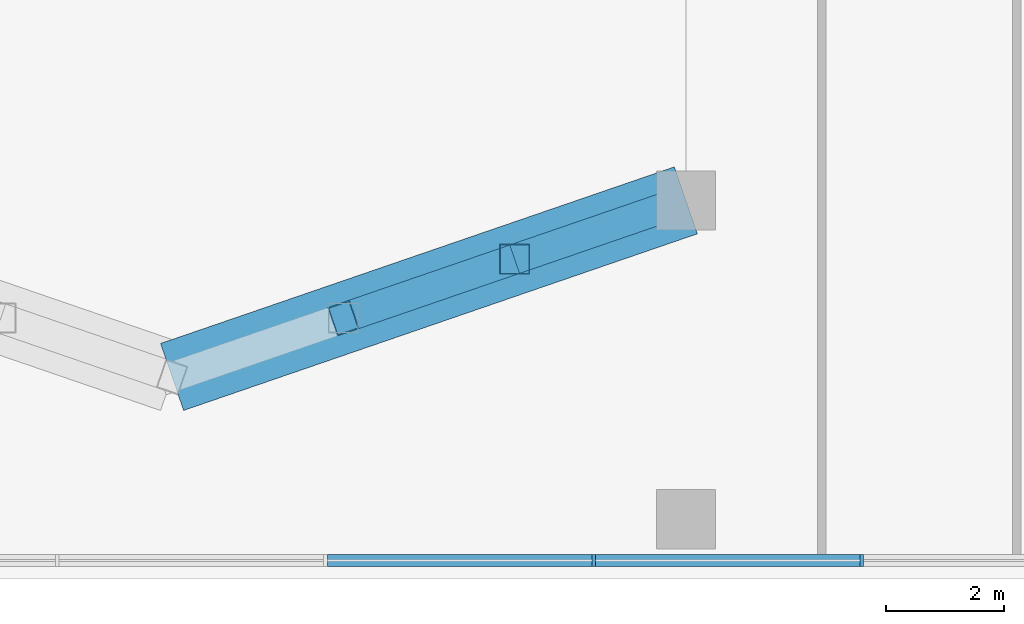
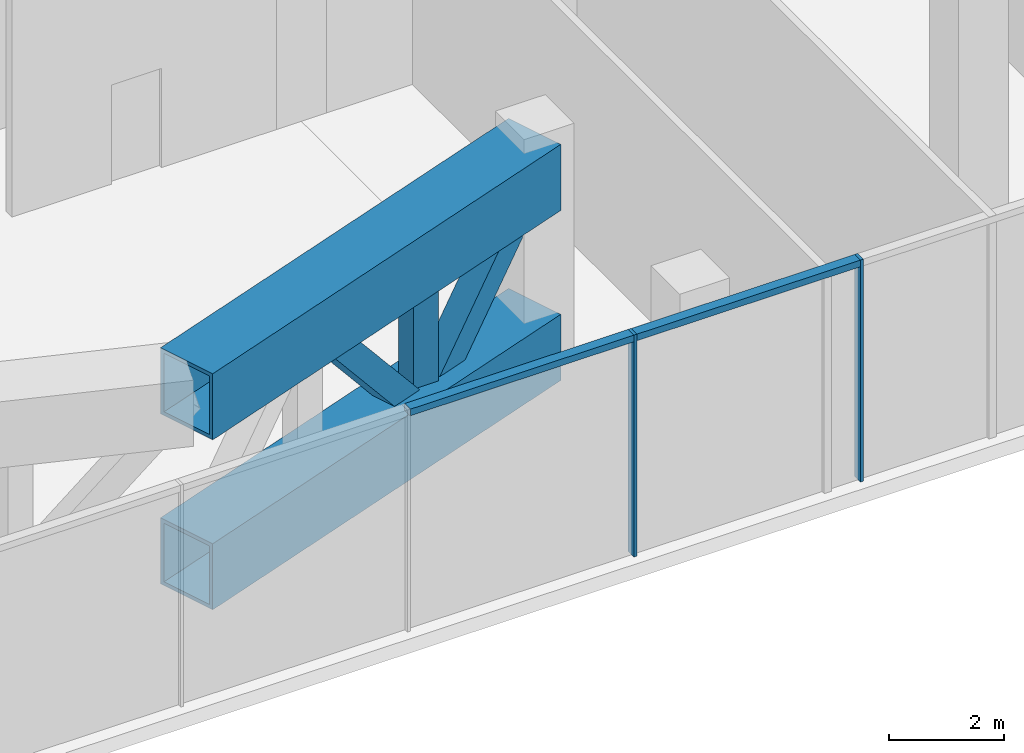
# One storey, part 5 of 22: 8 members, 1 beam, 1 element without a shape of its own.
"""IFC4 building model written with IfcOpenShell, lengths in metres."""

from ifc_helpers import new_model, si_unit, direction, frame, origin, origin_2d, place, context, subcontext, project, spatial, rectangle, hollow_rectangle, extrude, material, material_profile, profile_set, type_object, element, aggregate, save


model = new_model("IFC4")

# Units and contexts
model_context = context("Model", 3, precision=1e-05, world=origin(), true_north=direction((0.0, 1.0)))
body_context = subcontext(model_context, "Body", "Model", "MODEL_VIEW")
ifc_project = project(units=[si_unit("LENGTHUNIT", "METRE"), si_unit("AREAUNIT", "SQUARE_METRE"), si_unit("VOLUMEUNIT", "CUBIC_METRE"), si_unit("PLANEANGLEUNIT", "RADIAN"), si_unit("MASSUNIT", "GRAM", prefix="KILO")], contexts=[model_context])

# Site, building, storey
site_placement = place(None, origin())
site = spatial("IfcSite", under=ifc_project, at=site_placement, CompositionType="ELEMENT")
building_placement = place(site_placement, origin())
building = spatial("IfcBuilding", under=site, at=building_placement, Name="Bicima Exchange Tower", CompositionType="ELEMENT")
storey_placement = place(building_placement, frame((0.0, 0.0, 20.0)))
storey = spatial("IfcBuildingStorey", under=building, at=storey_placement, Name="L03", CompositionType="ELEMENT", Elevation=20.0)

# Curtain wall, members
ifc_material_1 = material(Name="Anodised bronze aluminium", Category="aluminium")
curtain_wall_type = type_object("IfcCurtainWallType", Name="Lobby glazing", PredefinedType="NOTDEFINED", material=ifc_material_1)
curtain_wall_placement = place(storey_placement, origin())
curtain_wall = element("IfcCurtainWall", 1, at=curtain_wall_placement, inside=storey, type_object=curtain_wall_type, Name="Podium glazing L03 south 1", PredefinedType="NOTDEFINED")
ifc_material_profile_1 = material_profile(ifc_material_1, rectangle(XDim=0.199951171875, YDim=0.06005859375, at=origin_2d()))
ifc_profile_set_1 = profile_set([ifc_material_profile_1], Name="Anodised bronze aluminium")
member_type_1 = type_object("IfcMemberType", Name="Lobby glazing mullion 60 x 200", PredefinedType="MULLION", material=ifc_profile_set_1)
member_1_placement = place(storey_placement, frame((15.836181640625, -45.699951171875, 0.0), z_axis=(0.0, 0.0, 1.0), x_axis=(0.0, 1.0, 0.0)))
member_1 = element("IfcMember", 2, at=member_1_placement, type_object=member_type_1, Name="Lobby glazing mullion 14", PredefinedType="MULLION", context=body_context, shape_type="SweptSolid", body=[
    extrude(rectangle(XDim=0.199951171875, YDim=0.06005859375, at=origin_2d()), origin(), (0.0, 0.0, 1.0), 4.699951171875),
])
member_2_placement = place(storey_placement, frame((20.375244140625, -45.699951171875, 0.0), z_axis=(0.0, 0.0, 1.0), x_axis=(0.0, 1.0, 0.0)))
member_2 = element("IfcMember", 3, at=member_2_placement, type_object=member_type_1, Name="Lobby glazing mullion 15", PredefinedType="MULLION", context=body_context, shape_type="SweptSolid", body=[
    extrude(rectangle(XDim=0.199951171875, YDim=0.06005859375, at=origin_2d()), origin(), (0.0, 0.0, 1.0), 4.699951171875),
])
ifc_material_profile_2 = material_profile(ifc_material_1, rectangle(XDim=0.199951171875, YDim=0.139892578125, at=origin_2d()))
ifc_profile_set_2 = profile_set([ifc_material_profile_2], Name="Anodised bronze aluminium")
member_type_2 = type_object("IfcMemberType", Name="Lobby glazing transom 140 x 200", PredefinedType="USERDEFINED", material=ifc_profile_set_2)
member_3_placement = place(storey_placement, frame((11.327392578125, -45.699951171875, 4.6298828125), z_axis=(1.0, 0.0, 0.0), x_axis=(0.0, 1.0, 0.0)))
member_3 = element("IfcMember", 4, at=member_3_placement, type_object=member_type_2, Name="Lobby glazing transom 13.1", ObjectType="TRANSOM", PredefinedType="USERDEFINED", context=body_context, shape_type="SweptSolid", body=[
    extrude(rectangle(XDim=0.199951171875, YDim=0.139892578125, at=origin_2d()), origin(), (0.0, 0.0, 1.0), 4.47900390625),
])
member_4_placement = place(storey_placement, frame((15.8662109375, -45.699951171875, 4.6298828125), z_axis=(1.0, 0.0, 0.0), x_axis=(0.0, 1.0, 0.0)))
member_4 = element("IfcMember", 5, at=member_4_placement, type_object=member_type_2, Name="Lobby glazing transom 14.1", ObjectType="TRANSOM", PredefinedType="USERDEFINED", context=body_context, shape_type="SweptSolid", body=[
    extrude(rectangle(XDim=0.199951171875, YDim=0.139892578125, at=origin_2d()), origin(), (0.0, 0.0, 1.0), 4.47900390625),
])
aggregate(curtain_wall, [member_1, member_2, member_3, member_4])

# Members
ifc_material_2 = material(Name="Steel ASTM A572 Gr 50", Category="steel")
ifc_material_profile_3 = material_profile(ifc_material_2, hollow_rectangle(XDim=1.199951171875, YDim=1.39990234375, WallThickness=0.080078125, at=origin_2d()))
ifc_profile_set_3 = profile_set([ifc_material_profile_3], Name="Steel ASTM A572 Gr 50")
member_type_3 = type_object("IfcMemberType", Name="Transfer truss chord BOX 1200x1400x80", PredefinedType="CHORD", material=ifc_profile_set_3)
member_5_placement = place(storey_placement, frame((8.699951171875, -42.591064453125, 0.39990234375), z_axis=(0.945674616091, 0.32511462668, 0.0), x_axis=(-0.32511462668, 0.945674616091, 0.0)))
element("IfcMember", 6, at=member_5_placement, inside=storey, type_object=member_type_3, Name="Bottom chord", PredefinedType="CHORD", context=body_context, shape_type="SweptSolid", body=[
    extrude(hollow_rectangle(XDim=1.199951171875, YDim=1.39990234375, WallThickness=0.080078125, at=origin_2d()), origin(), (0.0, 0.0, 1.0), 9.19970703125),
])
ifc_material_profile_4 = material_profile(ifc_material_2, hollow_rectangle(XDim=0.508056640625, YDim=0.508056640625, WallThickness=0.017822265625, at=origin_2d()))
ifc_profile_set_4 = profile_set([ifc_material_profile_4], Name="Steel ASTM A572 Gr 50")
member_type_4 = type_object("IfcMemberType", Name="Transfer truss diagonal HSS20x20x3/4", PredefinedType="STRUT", material=ifc_profile_set_4)
for number, where, z_axis, x_axis, name in (
    (7, (11.60009765625, -41.593994140625, 4.0), (0.613205236324, 0.210837698699, -0.761266578113), (-0.325146518908, 0.945663651222, 0.0), "Truss diagonal"),
    (8, (14.5, -40.596923828125, 0.39990234375), (0.613211910084, 0.210788367475, 0.761274863284), (-0.325075318312, 0.945688129049, 0.0), "Truss diagonal"),
):
    element("IfcMember", number, at=place(storey_placement, frame(where, z_axis=z_axis, x_axis=x_axis)), inside=storey, type_object=member_type_4, Name=name, PredefinedType="STRUT", context=body_context, shape_type="SweptSolid", body=[
        extrude(hollow_rectangle(XDim=0.508056640625, YDim=0.508056640625, WallThickness=0.017822265625, at=origin_2d()), origin(), (0.0, 0.0, 1.0), 4.72900390625),
    ])
ifc_material_profile_5 = material_profile(ifc_material_2, hollow_rectangle(XDim=0.508056640625, YDim=0.508056640625, WallThickness=0.0146484375, at=origin_2d()))
ifc_profile_set_5 = profile_set([ifc_material_profile_5], Name="Steel ASTM A572 Gr 50")
member_type_5 = type_object("IfcMemberType", Name="Transfer truss post HSS20x20x5/8", PredefinedType="POST", material=ifc_profile_set_5)
member_6_placement = place(storey_placement, frame((14.5, -40.596923828125, 0.39990234375), z_axis=(0.0, 0.0, 1.0), x_axis=(1.0, 0.0, 0.0)))
element("IfcMember", 9, at=member_6_placement, inside=storey, type_object=member_type_5, Name="Truss post", PredefinedType="POST", context=body_context, shape_type="SweptSolid", body=[
    extrude(hollow_rectangle(XDim=0.508056640625, YDim=0.508056640625, WallThickness=0.0146484375, at=origin_2d()), origin(), (0.0, 0.0, 1.0), 3.60009765625),
])

# Beam
beam_type = type_object("IfcBeamType", Name="Transfer truss top chord BOX 1200x1400x80", PredefinedType="BEAM", material=ifc_profile_set_3)
beam_placement = place(storey_placement, frame((8.699951171875, -42.591064453125, 4.0), z_axis=(0.945674616091, 0.32511462668, 0.0), x_axis=(-0.32511462668, 0.945674616091, 0.0)))
element("IfcBeam", 10, at=beam_placement, inside=storey, type_object=beam_type, Name="Transfer girder", PredefinedType="BEAM", context=body_context, shape_type="SweptSolid", body=[
    extrude(hollow_rectangle(XDim=1.199951171875, YDim=1.39990234375, WallThickness=0.080078125, at=origin_2d()), origin(), (0.0, 0.0, 1.0), 9.19970703125),
])

save(model, "model.ifc")
